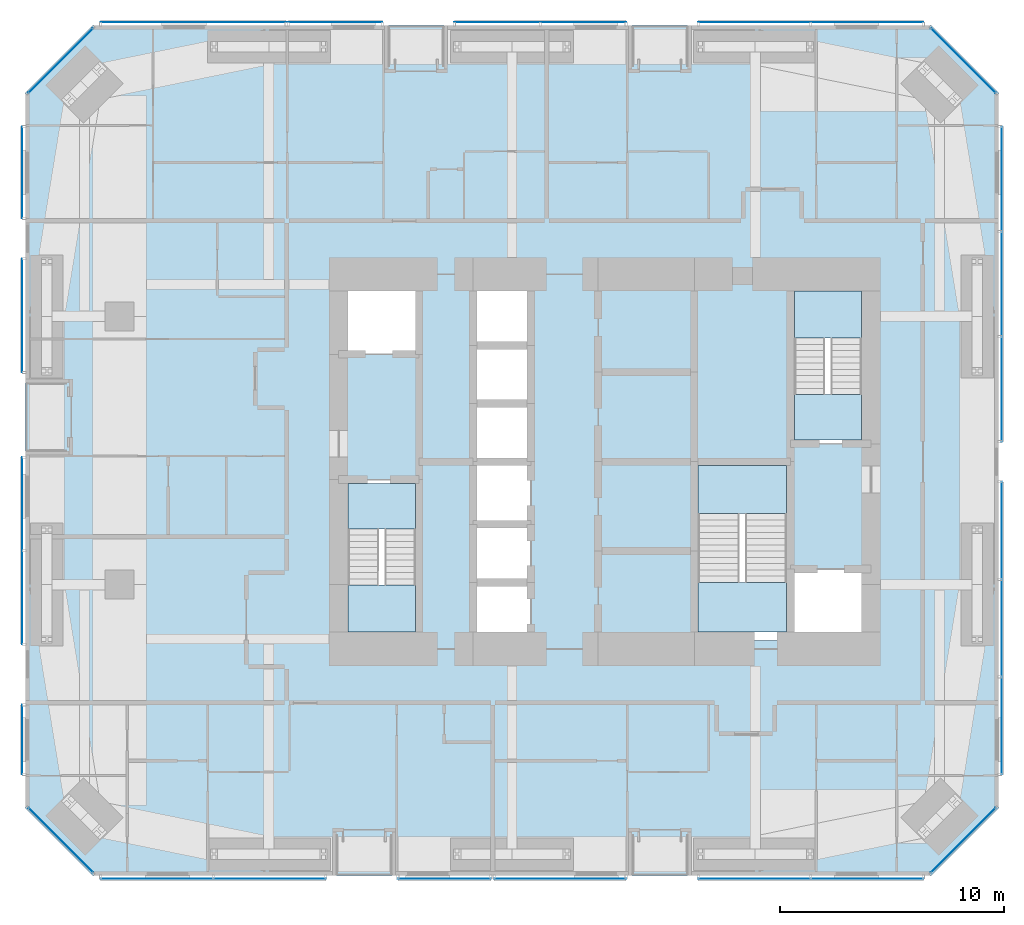
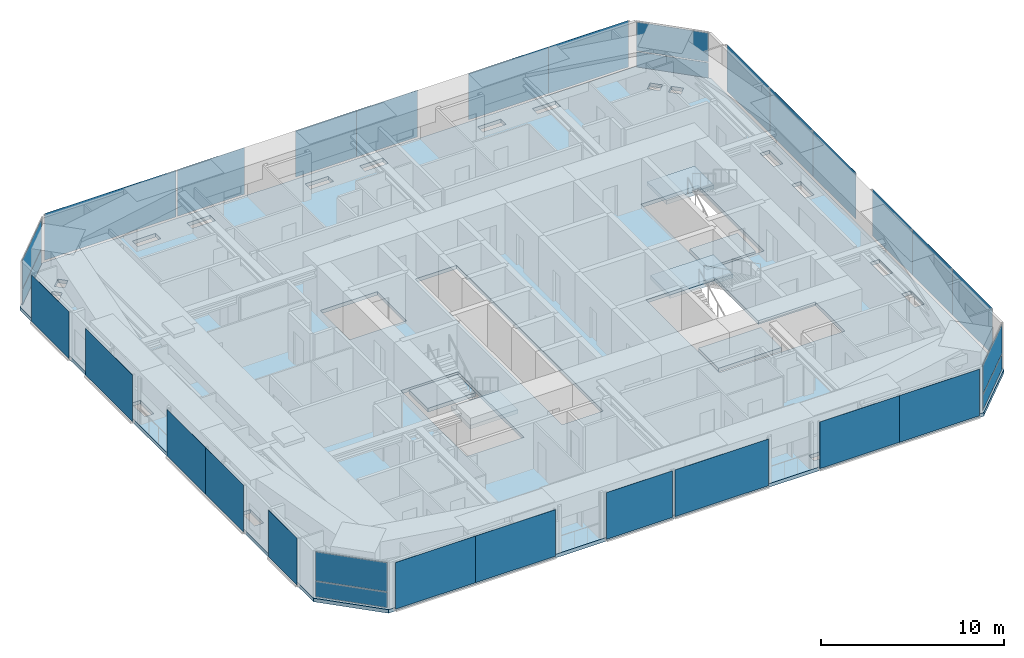
# One storey, part 16 of 24: 31 plates, 7 slabs, 21 elements without a shape of their own.
"""IFC4 building model written with IfcOpenShell, lengths in metres."""

from ifc_helpers import new_model, si_unit, direction, frame, origin, origin_2d, place, context, subcontext, project, spatial, polyline, rectangle, outline, extrude, material, layer, layer_set, type_object, element, aggregate, save


model = new_model("IFC4")

# Units and contexts
model_context = context("Model", 3, precision=1e-05, world=origin(), true_north=direction((0.0, 1.0)))
body_context = subcontext(model_context, "Body", "Model", "MODEL_VIEW")
ifc_project = project(units=[si_unit("LENGTHUNIT", "METRE"), si_unit("AREAUNIT", "SQUARE_METRE"), si_unit("VOLUMEUNIT", "CUBIC_METRE"), si_unit("PLANEANGLEUNIT", "RADIAN"), si_unit("MASSUNIT", "GRAM", prefix="KILO")], contexts=[model_context])

# Site, building, storey
site_placement = place(None, origin())
site = spatial("IfcSite", under=ifc_project, at=site_placement, CompositionType="ELEMENT")
building_placement = place(site_placement, origin())
building = spatial("IfcBuilding", under=site, at=building_placement, Name="Jalousie Tower", CompositionType="ELEMENT")
storey_placement = place(building_placement, frame((0.0, 0.0, 124.949951171875)))
storey = spatial("IfcBuildingStorey", under=building, at=storey_placement, Name="L34", CompositionType="ELEMENT", Elevation=124.949951171875)

# Curtain wall, plates
ifc_material_1 = material(Name="Aluminium curtain wall", Category="aluminium")
curtain_wall_type_1 = type_object("IfcCurtainWallType", Name="CORNER WINDOW WALL", PredefinedType="USERDEFINED", material=ifc_material_1)
curtain_wall_1_placement = place(storey_placement, origin())
curtain_wall_1 = element("IfcCurtainWall", 1, at=curtain_wall_1_placement, inside=storey, type_object=curtain_wall_type_1, Name="Corner Window Wall L34 2", ObjectType="CORNER WINDOW WALL", PredefinedType="USERDEFINED")
ifc_material_2 = material(Name="Laminated impact-rated spandrel glass", Category="glass")
ifc_layer_1 = layer(ifc_material_2, 0.028076171875)
ifc_layer_set_1 = layer_set([ifc_layer_1], Name="Laminated impact-rated spandrel glass")
plate_type_1 = type_object("IfcPlateType", Name="CORNER WINDOW WALL PANEL", PredefinedType="CURTAIN_PANEL", material=ifc_layer_set_1)
plate_1_placement = place(storey_placement, frame((47.9306640625, 1.5693359375, 0.06005859375), z_axis=(0.0, 0.0, 1.0), x_axis=(0.707106781187, 0.707106781187, 0.0)))
plate_1 = element("IfcPlate", 2, at=plate_1_placement, type_object=plate_type_1, Name="CW-C panel 1.1", PredefinedType="CURTAIN_PANEL", context=body_context, shape_type="SweptSolid", body=[
    extrude(rectangle(XDim=4.071533203125, YDim=0.028076171875, at=origin_2d()), origin(), (0.0, 0.0, 1.0), 1.010009765625),
])
plate_2_placement = place(storey_placement, frame((47.9306640625, 1.5693359375, 1.130126953125), z_axis=(0.0, 0.0, 1.0), x_axis=(0.707106781187, 0.707106781187, 0.0)))
plate_2 = element("IfcPlate", 3, at=plate_2_placement, type_object=plate_type_1, Name="CW-C panel 1.2", PredefinedType="CURTAIN_PANEL", context=body_context, shape_type="SweptSolid", body=[
    extrude(rectangle(XDim=4.071533203125, YDim=0.028076171875, at=origin_2d()), origin(), (0.0, 0.0, 1.0), 1.919921875),
])
aggregate(curtain_wall_1, [plate_1, plate_2])

curtain_wall_2_placement = place(storey_placement, origin())
curtain_wall_2 = element("IfcCurtainWall", 4, at=curtain_wall_2_placement, inside=storey, type_object=curtain_wall_type_1, Name="Corner Window Wall L34 4", ObjectType="CORNER WINDOW WALL", PredefinedType="USERDEFINED")
plate_3_placement = place(storey_placement, frame((47.9306640625, 36.4306640625, 0.06005859375), z_axis=(0.0, 0.0, 1.0), x_axis=(-0.707106781187, 0.707106781187, 0.0)))
plate_3 = element("IfcPlate", 5, at=plate_3_placement, type_object=plate_type_1, Name="CW-C panel 1.1", PredefinedType="CURTAIN_PANEL", context=body_context, shape_type="SweptSolid", body=[
    extrude(rectangle(XDim=4.071533203125, YDim=0.028076171875, at=origin_2d()), origin(), (0.0, 0.0, 1.0), 1.010009765625),
])
plate_4_placement = place(storey_placement, frame((47.9306640625, 36.4306640625, 1.130126953125), z_axis=(0.0, 0.0, 1.0), x_axis=(-0.707106781187, 0.707106781187, 0.0)))
plate_4 = element("IfcPlate", 6, at=plate_4_placement, type_object=plate_type_1, Name="CW-C panel 1.2", PredefinedType="CURTAIN_PANEL", context=body_context, shape_type="SweptSolid", body=[
    extrude(rectangle(XDim=4.071533203125, YDim=0.028076171875, at=origin_2d()), origin(), (0.0, 0.0, 1.0), 1.919921875),
])
aggregate(curtain_wall_2, [plate_3, plate_4])

curtain_wall_3_placement = place(storey_placement, origin())
curtain_wall_3 = element("IfcCurtainWall", 7, at=curtain_wall_3_placement, inside=storey, type_object=curtain_wall_type_1, Name="Corner Window Wall L34 6", ObjectType="CORNER WINDOW WALL", PredefinedType="USERDEFINED")
plate_5_placement = place(storey_placement, frame((7.5693359375, 36.4306640625, 0.06005859375), z_axis=(0.0, 0.0, 1.0), x_axis=(-0.707106781187, -0.707106781187, 0.0)))
plate_5 = element("IfcPlate", 8, at=plate_5_placement, type_object=plate_type_1, Name="CW-C panel 1.1", PredefinedType="CURTAIN_PANEL", context=body_context, shape_type="SweptSolid", body=[
    extrude(rectangle(XDim=4.071533203125, YDim=0.028076171875, at=origin_2d()), origin(), (0.0, 0.0, 1.0), 1.010009765625),
])
plate_6_placement = place(storey_placement, frame((7.5693359375, 36.4306640625, 1.130126953125), z_axis=(0.0, 0.0, 1.0), x_axis=(-0.707106781187, -0.707106781187, 0.0)))
plate_6 = element("IfcPlate", 9, at=plate_6_placement, type_object=plate_type_1, Name="CW-C panel 1.2", PredefinedType="CURTAIN_PANEL", context=body_context, shape_type="SweptSolid", body=[
    extrude(rectangle(XDim=4.071533203125, YDim=0.028076171875, at=origin_2d()), origin(), (0.0, 0.0, 1.0), 1.919921875),
])
aggregate(curtain_wall_3, [plate_5, plate_6])

curtain_wall_4_placement = place(storey_placement, origin())
curtain_wall_4 = element("IfcCurtainWall", 10, at=curtain_wall_4_placement, inside=storey, type_object=curtain_wall_type_1, Name="Corner Window Wall L34 8", ObjectType="CORNER WINDOW WALL", PredefinedType="USERDEFINED")
plate_7_placement = place(storey_placement, frame((7.5693359375, 1.5693359375, 0.06005859375), z_axis=(0.0, 0.0, 1.0), x_axis=(0.707106781187, -0.707106781187, 0.0)))
plate_7 = element("IfcPlate", 11, at=plate_7_placement, type_object=plate_type_1, Name="CW-C panel 1.1", PredefinedType="CURTAIN_PANEL", context=body_context, shape_type="SweptSolid", body=[
    extrude(rectangle(XDim=4.071533203125, YDim=0.028076171875, at=origin_2d()), origin(), (0.0, 0.0, 1.0), 1.010009765625),
])
plate_8_placement = place(storey_placement, frame((7.5693359375, 1.5693359375, 1.130126953125), z_axis=(0.0, 0.0, 1.0), x_axis=(0.707106781187, -0.707106781187, 0.0)))
plate_8 = element("IfcPlate", 12, at=plate_8_placement, type_object=plate_type_1, Name="CW-C panel 1.2", PredefinedType="CURTAIN_PANEL", context=body_context, shape_type="SweptSolid", body=[
    extrude(rectangle(XDim=4.071533203125, YDim=0.028076171875, at=origin_2d()), origin(), (0.0, 0.0, 1.0), 1.919921875),
])
aggregate(curtain_wall_4, [plate_7, plate_8])

# Slab
ifc_material_3 = material(Name="Concrete f'c 40 MPa", Category="concrete")
ifc_layer_2 = layer(ifc_material_3, 0.239990234375)
ifc_layer_set_2 = layer_set([ifc_layer_2], Name="Concrete f'c 40 MPa")
slab_type_1 = type_object("IfcSlabType", Name="FLOOR SLAB 240", PredefinedType="FLOOR", material=ifc_layer_set_2)
slab_1_placement = place(storey_placement, frame((0.0, 0.0, -0.239990234375)))
element("IfcSlab", 13, at=slab_1_placement, inside=storey, type_object=slab_type_1, Name="L34 floor slab", PredefinedType="FLOOR", context=body_context, shape_type="SweptSolid", body=[
    extrude(outline(polyline([(9.0, 0.0), (46.5, 0.0), (49.5, 3.0), (49.5, 35.0), (46.5, 38.0), (9.0, 38.0), (6.0, 35.0), (6.0, 3.0), (9.0, 0.0)]), holes=[polyline([(14.425048828125, 1.236083984375), (14.484619140625, 1.236083984375), (15.888916015625, 1.236083984375), (15.888916015625, 0.663818359375), (14.484619140625, 0.663818359375), (14.425048828125, 0.663818359375), (14.425048828125, 1.236083984375)]), polyline([(26.763916015625, 1.236083984375), (26.763916015625, 0.663818359375), (25.359619140625, 0.663818359375), (25.300048828125, 0.663818359375), (25.300048828125, 1.236083984375), (25.359619140625, 1.236083984375), (26.763916015625, 1.236083984375)]), polyline([(17.861083984375, 1.236083984375), (19.265380859375, 1.236083984375), (19.324951171875, 1.236083984375), (19.324951171875, 0.663818359375), (19.265380859375, 0.663818359375), (17.861083984375, 0.663818359375), (17.861083984375, 1.236083984375)]), polyline([(9.1005859375, 1.75732421875), (8.98974609375, 1.868408203125), (8.604736328125, 2.25341796875), (9.009521484375, 2.658203125), (9.505615234375, 2.162109375), (9.1005859375, 1.75732421875)]), polyline([(8.658203125, 3.009521484375), (8.25341796875, 2.604736328125), (7.868408203125, 2.98974609375), (7.75732421875, 3.1005859375), (8.162109375, 3.505615234375), (8.27294921875, 3.39453125), (8.658203125, 3.009521484375)]), polyline([(7.236083984375, 10.550048828125), (6.663818359375, 10.550048828125), (6.663818359375, 10.609619140625), (6.663818359375, 12.013916015625), (7.236083984375, 12.013916015625), (7.236083984375, 10.609619140625), (7.236083984375, 10.550048828125)]), polyline([(26.0, 10.5), (26.0, 26.5), (28.60009765625, 26.5), (28.60009765625, 10.5), (26.0, 10.5)]), polyline([(20.0, 10.5), (23.60009765625, 10.5), (23.60009765625, 17.699951171875), (20.0, 17.699951171875), (20.0, 10.5)]), polyline([(7.236083984375, 15.390380859375), (7.236083984375, 13.986083984375), (6.663818359375, 13.986083984375), (6.663818359375, 15.390380859375), (6.663818359375, 15.449951171875), (7.236083984375, 15.449951171875), (7.236083984375, 15.390380859375)]), polyline([(6.663818359375, 24.013916015625), (7.236083984375, 24.013916015625), (7.236083984375, 22.609619140625), (7.236083984375, 22.550048828125), (6.663818359375, 22.550048828125), (6.663818359375, 22.609619140625), (6.663818359375, 24.013916015625)]), polyline([(20.0, 23.300048828125), (23.60009765625, 23.300048828125), (23.60009765625, 26.5), (20.0, 26.5), (20.0, 23.300048828125)]), polyline([(7.236083984375, 25.986083984375), (6.663818359375, 25.986083984375), (6.663818359375, 27.390380859375), (6.663818359375, 27.449951171875), (7.236083984375, 27.449951171875), (7.236083984375, 27.390380859375), (7.236083984375, 25.986083984375)]), polyline([(8.658203125, 34.990478515625), (8.162109375, 34.494384765625), (7.75732421875, 34.8994140625), (8.25341796875, 35.395263671875), (8.658203125, 34.990478515625)]), polyline([(9.009521484375, 35.341796875), (8.604736328125, 35.74658203125), (9.1005859375, 36.24267578125), (9.1005859375, 36.24267578125), (9.302978515625, 36.040283203125), (9.505615234375, 35.837890625), (9.009521484375, 35.341796875)]), polyline([(26.763916015625, 36.763916015625), (25.359619140625, 36.763916015625), (25.300048828125, 36.763916015625), (25.300048828125, 37.336181640625), (25.359619140625, 37.336181640625), (26.763916015625, 37.336181640625), (26.763916015625, 36.763916015625)]), polyline([(19.324951171875, 37.336181640625), (19.324951171875, 36.763916015625), (19.265380859375, 36.763916015625), (17.861083984375, 36.763916015625), (17.861083984375, 37.336181640625), (19.265380859375, 37.336181640625), (19.324951171875, 37.336181640625)]), polyline([(14.425048828125, 36.763916015625), (14.425048828125, 37.336181640625), (14.484619140625, 37.336181640625), (15.888916015625, 37.336181640625), (15.888916015625, 36.763916015625), (14.484619140625, 36.763916015625), (14.425048828125, 36.763916015625)]), polyline([(28.736083984375, 0.663818359375), (28.736083984375, 1.236083984375), (30.140380859375, 1.236083984375), (30.199951171875, 1.236083984375), (30.199951171875, 0.663818359375), (30.140380859375, 0.663818359375), (28.736083984375, 0.663818359375)]), polyline([(36.234619140625, 0.663818359375), (36.175048828125, 0.663818359375), (36.175048828125, 1.236083984375), (36.234619140625, 1.236083984375), (37.638916015625, 1.236083984375), (37.638916015625, 0.663818359375), (36.234619140625, 0.663818359375)]), polyline([(41.015380859375, 1.236083984375), (41.074951171875, 1.236083984375), (41.074951171875, 0.663818359375), (41.015380859375, 0.663818359375), (39.611083984375, 0.663818359375), (39.611083984375, 1.236083984375), (41.015380859375, 1.236083984375)]), polyline([(46.490478515625, 2.658203125), (46.895263671875, 2.25341796875), (46.3994140625, 1.75732421875), (46.181396484375, 1.97509765625), (45.994384765625, 2.162109375), (45.994384765625, 2.162109375), (45.994384765625, 2.162109375), (46.080078125, 2.24755859375), (46.10546875, 2.27294921875), (46.490478515625, 2.658203125)]), polyline([(47.337890625, 3.505615234375), (47.540283203125, 3.302978515625), (47.74267578125, 3.1005859375), (47.74267578125, 3.1005859375), (47.74267578125, 3.1005859375), (47.662353515625, 3.0205078125), (47.631591796875, 2.98974609375), (47.24658203125, 2.604736328125), (46.841796875, 3.009521484375), (47.337890625, 3.505615234375)]), polyline([(48.836181640625, 10.550048828125), (48.263916015625, 10.550048828125), (48.263916015625, 10.609619140625), (48.263916015625, 12.013916015625), (48.836181640625, 12.013916015625), (48.836181640625, 10.609619140625), (48.836181640625, 10.550048828125)]), polyline([(35.89990234375, 18.5), (40.199951171875, 18.5), (40.199951171875, 13.699951171875), (43.800048828125, 13.699951171875), (43.800048828125, 10.5), (35.89990234375, 10.5), (35.89990234375, 18.5)]), polyline([(48.836181640625, 13.986083984375), (48.263916015625, 13.986083984375), (48.263916015625, 15.390380859375), (48.263916015625, 15.449951171875), (48.836181640625, 15.449951171875), (48.836181640625, 15.390380859375), (48.836181640625, 13.986083984375)]), polyline([(40.199951171875, 19.300048828125), (43.800048828125, 19.300048828125), (43.800048828125, 26.5), (40.199951171875, 26.5), (40.199951171875, 19.300048828125)]), polyline([(48.836181640625, 22.550048828125), (48.263916015625, 22.550048828125), (48.263916015625, 22.609619140625), (48.263916015625, 24.013916015625), (48.836181640625, 24.013916015625), (48.836181640625, 22.609619140625), (48.836181640625, 22.550048828125)]), polyline([(48.836181640625, 27.390380859375), (48.836181640625, 25.986083984375), (48.263916015625, 25.986083984375), (48.263916015625, 27.390380859375), (48.263916015625, 27.449951171875), (48.836181640625, 27.449951171875), (48.836181640625, 27.390380859375)]), polyline([(47.631591796875, 35.01025390625), (47.74267578125, 34.8994140625), (47.74267578125, 34.8994140625), (47.540283203125, 34.697021484375), (47.337890625, 34.494384765625), (47.22705078125, 34.60546875), (47.22705078125, 34.60546875), (46.841796875, 34.990478515625), (47.24658203125, 35.395263671875), (47.631591796875, 35.01025390625)]), polyline([(46.3994140625, 36.24267578125), (46.3994140625, 36.24267578125), (46.51025390625, 36.131591796875), (46.895263671875, 35.74658203125), (46.490478515625, 35.341796875), (46.10546875, 35.72705078125), (46.10546875, 35.72705078125), (45.994384765625, 35.837890625), (46.197021484375, 36.040283203125), (46.3994140625, 36.24267578125)]), polyline([(41.015380859375, 37.336181640625), (41.074951171875, 37.336181640625), (41.074951171875, 36.763916015625), (41.015380859375, 36.763916015625), (39.611083984375, 36.763916015625), (39.611083984375, 37.336181640625), (41.015380859375, 37.336181640625)]), polyline([(37.638916015625, 37.336181640625), (37.638916015625, 36.763916015625), (36.234619140625, 36.763916015625), (36.175048828125, 36.763916015625), (36.175048828125, 37.336181640625), (36.234619140625, 37.336181640625), (37.638916015625, 37.336181640625)]), polyline([(28.736083984375, 37.336181640625), (30.140380859375, 37.336181640625), (30.199951171875, 37.336181640625), (30.199951171875, 36.763916015625), (30.140380859375, 36.763916015625), (28.736083984375, 36.763916015625), (28.736083984375, 37.336181640625)])]), origin(), (0.0, 0.0, 1.0), 0.239990234375),
])

# Curtain wall, plates
ifc_material_4 = material(Name="Perforated aluminium sheet", Category="aluminium")
curtain_wall_type_2 = type_object("IfcCurtainWallType", Name="SOLAR SCREEN SS-1", PredefinedType="USERDEFINED", material=ifc_material_4)
curtain_wall_5_placement = place(storey_placement, origin())
curtain_wall_5 = element("IfcCurtainWall", 14, at=curtain_wall_5_placement, inside=storey, type_object=curtain_wall_type_2, Name="Solar screen L34", ObjectType="SOLAR SCREEN SS-1", PredefinedType="USERDEFINED")
ifc_material_5 = material(Name="Perforated aluminium sheet", Category="aluminium")
ifc_layer_3 = layer(ifc_material_5, 0.006103515625)
ifc_layer_set_3 = layer_set([ifc_layer_3], Name="Perforated aluminium sheet")
plate_type_2 = type_object("IfcPlateType", Name="SOLAR SCREEN SS-1 PANEL", PredefinedType="CURTAIN_PANEL", material=ifc_layer_set_3)
plate_9_placement = place(storey_placement, frame((11.86962890625, -0.150390625, 0.0), z_axis=(0.0, 0.0, 1.0), x_axis=(1.0, 0.0, 0.0)))
plate_9 = element("IfcPlate", 15, at=plate_9_placement, type_object=plate_type_2, Name="SS1 perforated panel 1", PredefinedType="CURTAIN_PANEL", context=body_context, shape_type="SweptSolid", body=[
    extrude(rectangle(XDim=5.036865234375, YDim=0.006103515625, at=origin_2d()), origin(), (0.0, 0.0, 1.0), 3.110107421875),
])
plate_10_placement = place(storey_placement, frame((16.906494140625, -0.150390625, 0.0), z_axis=(0.0, 0.0, 1.0), x_axis=(1.0, 0.0, 0.0)))
plate_10 = element("IfcPlate", 16, at=plate_10_placement, type_object=plate_type_2, Name="SS1 perforated panel 2", PredefinedType="CURTAIN_PANEL", context=body_context, shape_type="SweptSolid", body=[
    extrude(rectangle(XDim=5.036865234375, YDim=0.006103515625, at=origin_2d()), origin(), (0.0, 0.0, 1.0), 3.110107421875),
])
aggregate(curtain_wall_5, [plate_9, plate_10])

# Curtain wall, plate
curtain_wall_6_placement = place(storey_placement, origin())
curtain_wall_6 = element("IfcCurtainWall", 17, at=curtain_wall_6_placement, inside=storey, type_object=curtain_wall_type_2, Name="Solar screen L34", ObjectType="SOLAR SCREEN SS-1", PredefinedType="USERDEFINED")
plate_11_placement = place(storey_placement, frame((24.72509765625, -0.150390625, 0.0), z_axis=(0.0, 0.0, 1.0), x_axis=(1.0, 0.0, 0.0)))
plate_11 = element("IfcPlate", 18, at=plate_11_placement, type_object=plate_type_2, Name="SS1 perforated panel 1", PredefinedType="CURTAIN_PANEL", context=body_context, shape_type="SweptSolid", body=[
    extrude(rectangle(XDim=4.14990234375, YDim=0.006103515625, at=origin_2d()), origin(), (0.0, 0.0, 1.0), 3.110107421875),
])
aggregate(curtain_wall_6, [plate_11])

curtain_wall_7_placement = place(storey_placement, origin())
curtain_wall_7 = element("IfcCurtainWall", 19, at=curtain_wall_7_placement, inside=storey, type_object=curtain_wall_type_2, Name="Solar screen L34", ObjectType="SOLAR SCREEN SS-1", PredefinedType="USERDEFINED")
plate_12_placement = place(storey_placement, frame((29.89990234375, -0.150390625, 0.0), z_axis=(0.0, 0.0, 1.0), x_axis=(1.0, 0.0, 0.0)))
plate_12 = element("IfcPlate", 20, at=plate_12_placement, type_object=plate_type_2, Name="SS1 perforated panel 1", PredefinedType="CURTAIN_PANEL", context=body_context, shape_type="SweptSolid", body=[
    extrude(rectangle(XDim=5.89990234375, YDim=0.006103515625, at=origin_2d()), origin(), (0.0, 0.0, 1.0), 3.110107421875),
])
aggregate(curtain_wall_7, [plate_12])

# Curtain wall, plates
curtain_wall_8_placement = place(storey_placement, origin())
curtain_wall_8 = element("IfcCurtainWall", 21, at=curtain_wall_8_placement, inside=storey, type_object=curtain_wall_type_2, Name="Solar screen L34", ObjectType="SOLAR SCREEN SS-1", PredefinedType="USERDEFINED")
plate_13_placement = place(storey_placement, frame((38.593505859375, -0.150390625, 0.0), z_axis=(0.0, 0.0, 1.0), x_axis=(1.0, 0.0, 0.0)))
plate_13 = element("IfcPlate", 22, at=plate_13_placement, type_object=plate_type_2, Name="SS1 perforated panel 1", PredefinedType="CURTAIN_PANEL", context=body_context, shape_type="SweptSolid", body=[
    extrude(rectangle(XDim=5.036865234375, YDim=0.006103515625, at=origin_2d()), origin(), (0.0, 0.0, 1.0), 3.110107421875),
])
plate_14_placement = place(storey_placement, frame((43.63037109375, -0.150390625, 0.0), z_axis=(0.0, 0.0, 1.0), x_axis=(1.0, 0.0, 0.0)))
plate_14 = element("IfcPlate", 23, at=plate_14_placement, type_object=plate_type_2, Name="SS1 perforated panel 2", PredefinedType="CURTAIN_PANEL", context=body_context, shape_type="SweptSolid", body=[
    extrude(rectangle(XDim=5.036865234375, YDim=0.006103515625, at=origin_2d()), origin(), (0.0, 0.0, 1.0), 3.110107421875),
])
aggregate(curtain_wall_8, [plate_13, plate_14])

curtain_wall_9_placement = place(storey_placement, origin())
curtain_wall_9 = element("IfcCurtainWall", 24, at=curtain_wall_9_placement, inside=storey, type_object=curtain_wall_type_2, Name="Solar screen L34", ObjectType="SOLAR SCREEN SS-1", PredefinedType="USERDEFINED")
plate_15_placement = place(storey_placement, frame((49.650390625, 6.69482421875, 0.0), z_axis=(0.0, 0.0, 1.0), x_axis=(0.0, 1.0, 0.0)))
plate_15 = element("IfcPlate", 25, at=plate_15_placement, type_object=plate_type_2, Name="SS1 perforated panel 1", PredefinedType="CURTAIN_PANEL", context=body_context, shape_type="SweptSolid", body=[
    extrude(rectangle(XDim=4.362060546875, YDim=0.006103515625, at=origin_2d()), origin(), (0.0, 0.0, 1.0), 3.110107421875),
])
plate_16_placement = place(storey_placement, frame((49.650390625, 11.056884765625, 0.0), z_axis=(0.0, 0.0, 1.0), x_axis=(0.0, 1.0, 0.0)))
plate_16 = element("IfcPlate", 26, at=plate_16_placement, type_object=plate_type_2, Name="SS1 perforated panel 2", PredefinedType="CURTAIN_PANEL", context=body_context, shape_type="SweptSolid", body=[
    extrude(rectangle(XDim=4.362060546875, YDim=0.006103515625, at=origin_2d()), origin(), (0.0, 0.0, 1.0), 3.110107421875),
])
plate_17_placement = place(storey_placement, frame((49.650390625, 15.4189453125, 0.0), z_axis=(0.0, 0.0, 1.0), x_axis=(0.0, 1.0, 0.0)))
plate_17 = element("IfcPlate", 27, at=plate_17_placement, type_object=plate_type_2, Name="SS1 perforated panel 3", PredefinedType="CURTAIN_PANEL", context=body_context, shape_type="SweptSolid", body=[
    extrude(rectangle(XDim=4.362060546875, YDim=0.006103515625, at=origin_2d()), origin(), (0.0, 0.0, 1.0), 3.110107421875),
])
aggregate(curtain_wall_9, [plate_15, plate_16, plate_17])

curtain_wall_10_placement = place(storey_placement, origin())
curtain_wall_10 = element("IfcCurtainWall", 28, at=curtain_wall_10_placement, inside=storey, type_object=curtain_wall_type_2, Name="Solar screen L34", ObjectType="SOLAR SCREEN SS-1", PredefinedType="USERDEFINED")
plate_18_placement = place(storey_placement, frame((49.650390625, 21.747802734375, 0.0), z_axis=(0.0, 0.0, 1.0), x_axis=(0.0, 1.0, 0.0)))
plate_18 = element("IfcPlate", 29, at=plate_18_placement, type_object=plate_type_2, Name="SS1 perforated panel 1", PredefinedType="CURTAIN_PANEL", context=body_context, shape_type="SweptSolid", body=[
    extrude(rectangle(XDim=4.6953125, YDim=0.006103515625, at=origin_2d()), origin(), (0.0, 0.0, 1.0), 3.110107421875),
])
plate_19_placement = place(storey_placement, frame((49.650390625, 26.443115234375, 0.0), z_axis=(0.0, 0.0, 1.0), x_axis=(0.0, 1.0, 0.0)))
plate_19 = element("IfcPlate", 30, at=plate_19_placement, type_object=plate_type_2, Name="SS1 perforated panel 2", PredefinedType="CURTAIN_PANEL", context=body_context, shape_type="SweptSolid", body=[
    extrude(rectangle(XDim=4.6953125, YDim=0.006103515625, at=origin_2d()), origin(), (0.0, 0.0, 1.0), 3.110107421875),
])
plate_20_placement = place(storey_placement, frame((49.650390625, 31.138427734375, 0.0), z_axis=(0.0, 0.0, 1.0), x_axis=(0.0, 1.0, 0.0)))
plate_20 = element("IfcPlate", 31, at=plate_20_placement, type_object=plate_type_2, Name="SS1 perforated panel 3", PredefinedType="CURTAIN_PANEL", context=body_context, shape_type="SweptSolid", body=[
    extrude(rectangle(XDim=4.6953125, YDim=0.006103515625, at=origin_2d()), origin(), (0.0, 0.0, 1.0), 3.110107421875),
])
aggregate(curtain_wall_10, [plate_18, plate_19, plate_20])

curtain_wall_11_placement = place(storey_placement, origin())
curtain_wall_11 = element("IfcCurtainWall", 32, at=curtain_wall_11_placement, inside=storey, type_object=curtain_wall_type_2, Name="Solar screen L34", ObjectType="SOLAR SCREEN SS-1", PredefinedType="USERDEFINED")
plate_21_placement = place(storey_placement, frame((43.63037109375, 38.150390625, 0.0), z_axis=(0.0, 0.0, 1.0), x_axis=(-1.0, 0.0, 0.0)))
plate_21 = element("IfcPlate", 33, at=plate_21_placement, type_object=plate_type_2, Name="SS1 perforated panel 1", PredefinedType="CURTAIN_PANEL", context=body_context, shape_type="SweptSolid", body=[
    extrude(rectangle(XDim=5.036865234375, YDim=0.006103515625, at=origin_2d()), origin(), (0.0, 0.0, 1.0), 3.110107421875),
])
plate_22_placement = place(storey_placement, frame((38.593505859375, 38.150390625, 0.0), z_axis=(0.0, 0.0, 1.0), x_axis=(-1.0, 0.0, 0.0)))
plate_22 = element("IfcPlate", 34, at=plate_22_placement, type_object=plate_type_2, Name="SS1 perforated panel 2", PredefinedType="CURTAIN_PANEL", context=body_context, shape_type="SweptSolid", body=[
    extrude(rectangle(XDim=5.036865234375, YDim=0.006103515625, at=origin_2d()), origin(), (0.0, 0.0, 1.0), 3.110107421875),
])
aggregate(curtain_wall_11, [plate_21, plate_22])

curtain_wall_12_placement = place(storey_placement, origin())
curtain_wall_12 = element("IfcCurtainWall", 35, at=curtain_wall_12_placement, inside=storey, type_object=curtain_wall_type_2, Name="Solar screen L34", ObjectType="SOLAR SCREEN SS-1", PredefinedType="USERDEFINED")
plate_23_placement = place(storey_placement, frame((30.931396484375, 38.150390625, 0.0), z_axis=(0.0, 0.0, 1.0), x_axis=(-1.0, 0.0, 0.0)))
plate_23 = element("IfcPlate", 36, at=plate_23_placement, type_object=plate_type_2, Name="SS1 perforated panel 1", PredefinedType="CURTAIN_PANEL", context=body_context, shape_type="SweptSolid", body=[
    extrude(rectangle(XDim=3.83740234375, YDim=0.006103515625, at=origin_2d()), origin(), (0.0, 0.0, 1.0), 3.110107421875),
])
plate_24_placement = place(storey_placement, frame((27.09375, 38.150390625, 0.0), z_axis=(0.0, 0.0, 1.0), x_axis=(-1.0, 0.0, 0.0)))
plate_24 = element("IfcPlate", 37, at=plate_24_placement, type_object=plate_type_2, Name="SS1 perforated panel 2", PredefinedType="CURTAIN_PANEL", context=body_context, shape_type="SweptSolid", body=[
    extrude(rectangle(XDim=3.83740234375, YDim=0.006103515625, at=origin_2d()), origin(), (0.0, 0.0, 1.0), 3.110107421875),
])
aggregate(curtain_wall_12, [plate_23, plate_24])

# Curtain wall, plate
curtain_wall_13_placement = place(storey_placement, origin())
curtain_wall_13 = element("IfcCurtainWall", 38, at=curtain_wall_13_placement, inside=storey, type_object=curtain_wall_type_2, Name="Solar screen L34", ObjectType="SOLAR SCREEN SS-1", PredefinedType="USERDEFINED")
plate_25_placement = place(storey_placement, frame((19.85009765625, 38.150390625, 0.0), z_axis=(0.0, 0.0, 1.0), x_axis=(-1.0, 0.0, 0.0)))
plate_25 = element("IfcPlate", 39, at=plate_25_placement, type_object=plate_type_2, Name="SS1 perforated panel 1", PredefinedType="CURTAIN_PANEL", context=body_context, shape_type="SweptSolid", body=[
    extrude(rectangle(XDim=4.199951171875, YDim=0.006103515625, at=origin_2d()), origin(), (0.0, 0.0, 1.0), 3.110107421875),
])
aggregate(curtain_wall_13, [plate_25])

curtain_wall_14_placement = place(storey_placement, origin())
curtain_wall_14 = element("IfcCurtainWall", 40, at=curtain_wall_14_placement, inside=storey, type_object=curtain_wall_type_2, Name="Solar screen L34", ObjectType="SOLAR SCREEN SS-1", PredefinedType="USERDEFINED")
plate_26_placement = place(storey_placement, frame((13.500732421875, 38.150390625, 0.0), z_axis=(0.0, 0.0, 1.0), x_axis=(-1.0, 0.0, 0.0)))
plate_26 = element("IfcPlate", 41, at=plate_26_placement, type_object=plate_type_2, Name="SS1 perforated panel 1", PredefinedType="CURTAIN_PANEL", context=body_context, shape_type="SweptSolid", body=[
    extrude(rectangle(XDim=8.298583984375, YDim=0.006103515625, at=origin_2d()), origin(), (0.0, 0.0, 1.0), 3.110107421875),
])
aggregate(curtain_wall_14, [plate_26])

curtain_wall_15_placement = place(storey_placement, origin())
curtain_wall_15 = element("IfcCurtainWall", 42, at=curtain_wall_15_placement, inside=storey, type_object=curtain_wall_type_2, Name="Solar screen L34", ObjectType="SOLAR SCREEN SS-1", PredefinedType="USERDEFINED")
plate_27_placement = place(storey_placement, frame((5.849609375, 31.4306640625, 0.0), z_axis=(0.0, 0.0, 1.0), x_axis=(0.0, -1.0, 0.0)))
plate_27 = element("IfcPlate", 43, at=plate_27_placement, type_object=plate_type_2, Name="SS1 perforated panel 1", PredefinedType="CURTAIN_PANEL", context=body_context, shape_type="SweptSolid", body=[
    extrude(rectangle(XDim=4.111083984375, YDim=0.006103515625, at=origin_2d()), origin(), (0.0, 0.0, 1.0), 3.110107421875),
])
aggregate(curtain_wall_15, [plate_27])

curtain_wall_16_placement = place(storey_placement, origin())
curtain_wall_16 = element("IfcCurtainWall", 44, at=curtain_wall_16_placement, inside=storey, type_object=curtain_wall_type_2, Name="Solar screen L34", ObjectType="SOLAR SCREEN SS-1", PredefinedType="USERDEFINED")
plate_28_placement = place(storey_placement, frame((5.849609375, 25.03125, 0.0), z_axis=(0.0, 0.0, 1.0), x_axis=(0.0, -1.0, 0.0)))
plate_28 = element("IfcPlate", 45, at=plate_28_placement, type_object=plate_type_2, Name="SS1 perforated panel 1", PredefinedType="CURTAIN_PANEL", context=body_context, shape_type="SweptSolid", body=[
    extrude(rectangle(XDim=5.08740234375, YDim=0.006103515625, at=origin_2d()), origin(), (0.0, 0.0, 1.0), 3.110107421875),
])
aggregate(curtain_wall_16, [plate_28])

# Curtain wall, plates
curtain_wall_17_placement = place(storey_placement, origin())
curtain_wall_17 = element("IfcCurtainWall", 46, at=curtain_wall_17_placement, inside=storey, type_object=curtain_wall_type_2, Name="Solar screen L34", ObjectType="SOLAR SCREEN SS-1", PredefinedType="USERDEFINED")
plate_29_placement = place(storey_placement, frame((5.849609375, 16.610107421875, 0.0), z_axis=(0.0, 0.0, 1.0), x_axis=(0.0, -1.0, 0.0)))
plate_29 = element("IfcPlate", 47, at=plate_29_placement, type_object=plate_type_2, Name="SS1 perforated panel 1", PredefinedType="CURTAIN_PANEL", context=body_context, shape_type="SweptSolid", body=[
    extrude(rectangle(XDim=4.1796875, YDim=0.006103515625, at=origin_2d()), origin(), (0.0, 0.0, 1.0), 3.110107421875),
])
plate_30_placement = place(storey_placement, frame((5.849609375, 12.430419921875, 0.0), z_axis=(0.0, 0.0, 1.0), x_axis=(0.0, -1.0, 0.0)))
plate_30 = element("IfcPlate", 48, at=plate_30_placement, type_object=plate_type_2, Name="SS1 perforated panel 2", PredefinedType="CURTAIN_PANEL", context=body_context, shape_type="SweptSolid", body=[
    extrude(rectangle(XDim=4.1796875, YDim=0.006103515625, at=origin_2d()), origin(), (0.0, 0.0, 1.0), 3.110107421875),
])
aggregate(curtain_wall_17, [plate_29, plate_30])

# Curtain wall, plate
curtain_wall_18_placement = place(storey_placement, origin())
curtain_wall_18 = element("IfcCurtainWall", 49, at=curtain_wall_18_placement, inside=storey, type_object=curtain_wall_type_2, Name="Solar screen L34", ObjectType="SOLAR SCREEN SS-1", PredefinedType="USERDEFINED")
plate_31_placement = place(storey_placement, frame((5.849609375, 6.0693359375, 0.0), z_axis=(0.0, 0.0, 1.0), x_axis=(0.0, -1.0, 0.0)))
plate_31 = element("IfcPlate", 50, at=plate_31_placement, type_object=plate_type_2, Name="SS1 perforated panel 1", PredefinedType="CURTAIN_PANEL", context=body_context, shape_type="SweptSolid", body=[
    extrude(rectangle(XDim=3.111083984375, YDim=0.006103515625, at=origin_2d()), origin(), (0.0, 0.0, 1.0), 3.110107421875),
])
aggregate(curtain_wall_18, [plate_31])

# Stair, slabs
ifc_material_6 = material(Name="Concrete f'c 40 MPa", Category="concrete")
stair_type = type_object("IfcStairType", Name="EXIT STAIR", PredefinedType="HALF_TURN_STAIR", material=ifc_material_6)
stair_1_placement = place(storey_placement, origin())
stair_1 = element("IfcStair", 51, at=stair_1_placement, inside=storey, type_object=stair_type, Name="Exit stair A L34", PredefinedType="HALF_TURN_STAIR")
ifc_material_7 = material(Name="Concrete f'c 40 MPa", Category="concrete")
ifc_layer_4 = layer(ifc_material_7, 0.25)
ifc_layer_set_4 = layer_set([ifc_layer_4], Name="Concrete f'c 40 MPa")
slab_type_2 = type_object("IfcSlabType", Name="STAIR LANDING 250", PredefinedType="LANDING", material=ifc_layer_set_4)
slab_2_placement = place(storey_placement, frame((0.0, 0.0, -0.25)))
slab_2 = element("IfcSlab", 52, at=slab_2_placement, type_object=slab_type_2, Name="ST-A landing 1", PredefinedType="LANDING", context=body_context, shape_type="SweptSolid", body=[
    extrude(outline(polyline([(20.425048828125, 15.49755859375), (23.425048828125, 15.49755859375), (23.425048828125, 17.52490234375), (20.425048828125, 17.52490234375), (20.425048828125, 15.49755859375)])), origin(), (0.0, 0.0, 1.0), 0.25),
])
slab_3_placement = place(storey_placement, frame((0.0, 0.0, 1.425048828125)))
slab_3 = element("IfcSlab", 53, at=slab_3_placement, type_object=slab_type_2, Name="ST-A landing 2", PredefinedType="LANDING", context=body_context, shape_type="SweptSolid", body=[
    extrude(outline(polyline([(20.425048828125, 10.875), (23.425048828125, 10.875), (23.425048828125, 12.9775390625), (20.425048828125, 12.9775390625), (20.425048828125, 10.875)])), origin(), (0.0, 0.0, 1.0), 0.25),
])
aggregate(stair_1, [slab_2, slab_3])

stair_2_placement = place(storey_placement, origin())
stair_2 = element("IfcStair", 54, at=stair_2_placement, inside=storey, type_object=stair_type, Name="Exit stair B L34", PredefinedType="HALF_TURN_STAIR")
slab_4_placement = place(storey_placement, frame((0.0, 0.0, -0.25)))
slab_4 = element("IfcSlab", 55, at=slab_4_placement, type_object=slab_type_2, Name="ST-B landing 1", PredefinedType="LANDING", context=body_context, shape_type="SweptSolid", body=[
    extrude(outline(polyline([(40.375, 19.47509765625), (43.375, 19.47509765625), (43.375, 21.50244140625), (40.375, 21.50244140625), (40.375, 19.47509765625)])), origin(), (0.0, 0.0, 1.0), 0.25),
])
slab_5_placement = place(storey_placement, frame((0.0, 0.0, 1.425048828125)))
slab_5 = element("IfcSlab", 56, at=slab_5_placement, type_object=slab_type_2, Name="ST-B landing 2", PredefinedType="LANDING", context=body_context, shape_type="SweptSolid", body=[
    extrude(outline(polyline([(40.375, 24.0224609375), (43.375, 24.0224609375), (43.375, 26.125), (40.375, 26.125), (40.375, 24.0224609375)])), origin(), (0.0, 0.0, 1.0), 0.25),
])
aggregate(stair_2, [slab_4, slab_5])

stair_3_placement = place(storey_placement, origin())
stair_3 = element("IfcStair", 57, at=stair_3_placement, inside=storey, type_object=stair_type, Name="Exit stair C L34", PredefinedType="HALF_TURN_STAIR")
slab_6_placement = place(storey_placement, frame((0.0, 0.0, -0.25)))
slab_6 = element("IfcSlab", 58, at=slab_6_placement, type_object=slab_type_2, Name="ST-C landing 1", PredefinedType="LANDING", context=body_context, shape_type="SweptSolid", body=[
    extrude(outline(polyline([(36.074951171875, 10.875), (40.02490234375, 10.875), (40.02490234375, 13.097412109375), (36.074951171875, 13.097412109375), (36.074951171875, 10.875)])), origin(), (0.0, 0.0, 1.0), 0.25),
])
slab_7_placement = place(storey_placement, frame((0.0, 0.0, 1.425048828125)))
slab_7 = element("IfcSlab", 59, at=slab_7_placement, type_object=slab_type_2, Name="ST-C landing 2", PredefinedType="LANDING", context=body_context, shape_type="SweptSolid", body=[
    extrude(outline(polyline([(36.074951171875, 16.177490234375), (40.02490234375, 16.177490234375), (40.02490234375, 18.324951171875), (36.074951171875, 18.324951171875), (36.074951171875, 16.177490234375)])), origin(), (0.0, 0.0, 1.0), 0.25),
])
aggregate(stair_3, [slab_6, slab_7])

save(model, "model.ifc")
